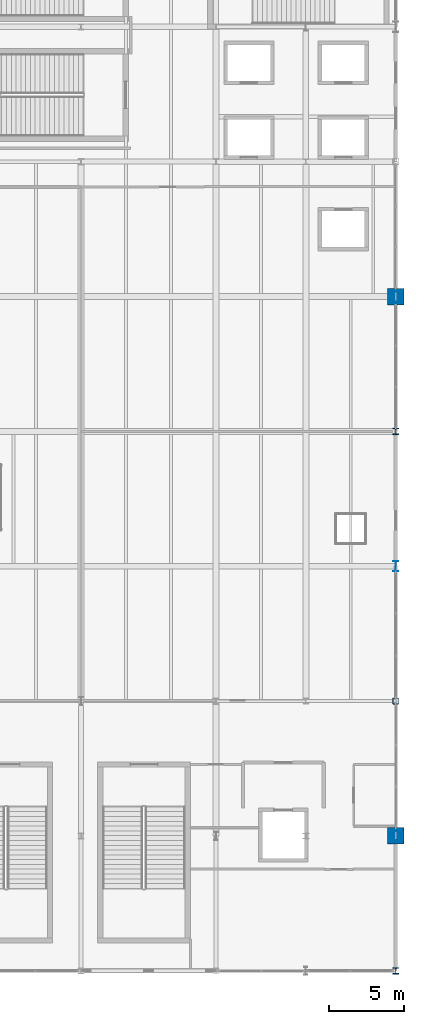
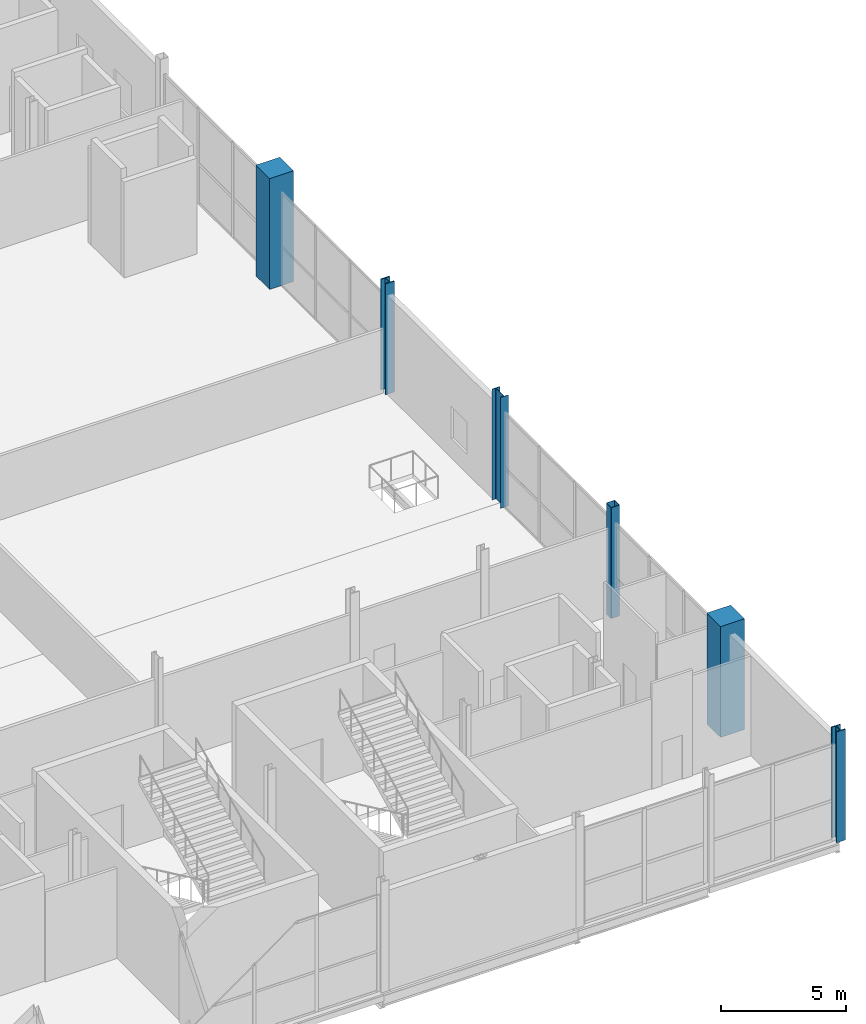
# One storey, part 15 of 119: 6 columns.
"""IFC4 building model written with IfcOpenShell, lengths in metres."""

from ifc_helpers import new_model, si_unit, direction, frame, origin, origin_2d, place, context, subcontext, project, spatial, rectangle, hollow_rectangle, i_section, extrude, material, material_profile, profile_set, type_object, element, save


model = new_model("IFC4")

# Units and contexts
model_context = context("Model", 3, precision=1e-05, world=origin(), true_north=direction((0.0, 1.0)))
body_context = subcontext(model_context, "Body", "Model", "MODEL_VIEW")
ifc_project = project(units=[si_unit("LENGTHUNIT", "METRE"), si_unit("AREAUNIT", "SQUARE_METRE"), si_unit("VOLUMEUNIT", "CUBIC_METRE"), si_unit("PLANEANGLEUNIT", "RADIAN"), si_unit("MASSUNIT", "GRAM", prefix="KILO")], contexts=[model_context])

# Site, building, storey
site_placement = place(None, origin())
site = spatial("IfcSite", under=ifc_project, at=site_placement, CompositionType="ELEMENT")
building_placement = place(site_placement, origin())
building = spatial("IfcBuilding", under=site, at=building_placement, Name="Qamarlyn Nura Convention Centre", CompositionType="ELEMENT")
storey_placement = place(building_placement, frame((0.0, 0.0, 5.39990234375)))
storey = spatial("IfcBuildingStorey", under=building, at=storey_placement, Name="L01", CompositionType="ELEMENT", Elevation=5.39990234375)

# Columns
ifc_material_1 = material(Name="Steel ASTM A500 Grade C", Category="steel")
ifc_material_profile_1 = material_profile(ifc_material_1, hollow_rectangle(XDim=0.39990234375, YDim=0.39990234375, WallThickness=0.01611328125, InnerFilletRadius=0.01611328125, OuterFilletRadius=0.031982421875, at=origin_2d()), Name="HSS400X400X16")
ifc_profile_set_1 = profile_set([ifc_material_profile_1], Name="Steel ASTM A500 Grade C")
column_type_1 = type_object("IfcColumnType", Name="COL-HSS-1", PredefinedType="COLUMN", material=ifc_profile_set_1)
column_1_placement = place(storey_placement, frame((192.0, 18.0, 0.0), z_axis=(0.0, 0.0, 1.0), x_axis=(1.0, 0.0, 0.0)))
element("IfcColumn", 1, at=column_1_placement, inside=storey, type_object=column_type_1, Name="L01 column 18/C", PredefinedType="COLUMN", context=body_context, shape_type="SweptSolid", body=[
    extrude(hollow_rectangle(XDim=0.39990234375, YDim=0.39990234375, WallThickness=0.01611328125, InnerFilletRadius=0.01611328125, OuterFilletRadius=0.031982421875, at=origin_2d()), origin(), (0.0, 0.0, 1.0), 5.400146484375),
])
ifc_material_2 = material(Name="Steel ASTM A992", Category="steel")
ifc_material_profile_2 = material_profile(ifc_material_2, i_section(OverallWidth=0.408935546875, OverallDepth=0.425048828125, WebThickness=0.030517578125, FlangeThickness=0.049072265625, FilletRadius=0.02001953125, at=origin_2d()), Name="W360X421")
ifc_profile_set_2 = profile_set([ifc_material_profile_2], Name="Steel ASTM A992")
column_type_2 = type_object("IfcColumnType", Name="COL-MEGA-1", PredefinedType="COLUMN", material=ifc_profile_set_2)
for number, where, z_axis, x_axis, name in (
    (2, (192.0, 0.0, 0.0), (0.0, 0.0, 1.0), (1.0, 0.0, 0.0), "L01 column 18/A"),
    (3, (192.0, 36.0, 0.0), (0.0, 0.0, 1.0), (1.0, 0.0, 0.0), "L01 column 18/E"),
):
    element("IfcColumn", number, at=place(storey_placement, frame(where, z_axis=z_axis, x_axis=x_axis)), inside=storey, type_object=column_type_2, Name=name, PredefinedType="COLUMN", context=body_context, shape_type="SweptSolid", body=[
        extrude(i_section(OverallWidth=0.408935546875, OverallDepth=0.425048828125, WebThickness=0.030517578125, FlangeThickness=0.049072265625, FilletRadius=0.02001953125, at=origin_2d()), origin(), (0.0, 0.0, 1.0), 5.400146484375),
    ])
ifc_material_3 = material(Name="Concrete C50/60", Category="concrete")
ifc_material_profile_3 = material_profile(ifc_material_3, rectangle(XDim=1.10009765625, YDim=1.10009765625, at=origin_2d()), Name="RC 1100x1100")
ifc_profile_set_3 = profile_set([ifc_material_profile_3], Name="Concrete C50/60")
column_type_3 = type_object("IfcColumnType", Name="COL-MEGA-2", PredefinedType="COLUMN", material=ifc_profile_set_3)
for number, where, z_axis, x_axis, name in (
    (4, (192.0, 9.0, 0.0), (0.0, 0.0, 1.0), (1.0, 0.0, 0.0), "L01 column 18/B"),
    (5, (192.0, 45.0, 0.0), (0.0, 0.0, 1.0), (1.0, 0.0, 0.0), "L01 column 18/F"),
):
    element("IfcColumn", number, at=place(storey_placement, frame(where, z_axis=z_axis, x_axis=x_axis)), inside=storey, type_object=column_type_3, Name=name, PredefinedType="COLUMN", context=body_context, shape_type="SweptSolid", body=[
        extrude(rectangle(XDim=1.10009765625, YDim=1.10009765625, at=origin_2d()), origin(), (0.0, 0.0, 1.0), 5.400146484375),
    ])
ifc_material_profile_4 = material_profile(ifc_material_2, i_section(OverallWidth=0.35498046875, OverallDepth=0.695068359375, WebThickness=0.015380859375, FlangeThickness=0.02490234375, FilletRadius=0.01806640625, at=origin_2d()), Name="W690X217")
ifc_profile_set_4 = profile_set([ifc_material_profile_4], Name="Steel ASTM A992")
column_type_4 = type_object("IfcColumnType", Name="COL-WING-5", PredefinedType="COLUMN", material=ifc_profile_set_4)
column_2_placement = place(storey_placement, frame((192.0, 27.0, 0.0), z_axis=(0.0, 0.0, 1.0), x_axis=(1.0, 0.0, 0.0)))
element("IfcColumn", 6, at=column_2_placement, inside=storey, type_object=column_type_4, Name="L01 column 18/D", PredefinedType="COLUMN", context=body_context, shape_type="SweptSolid", body=[
    extrude(i_section(OverallWidth=0.35498046875, OverallDepth=0.695068359375, WebThickness=0.015380859375, FlangeThickness=0.02490234375, FilletRadius=0.01806640625, at=origin_2d()), origin(), (0.0, 0.0, 1.0), 5.400146484375),
])

save(model, "model.ifc")
